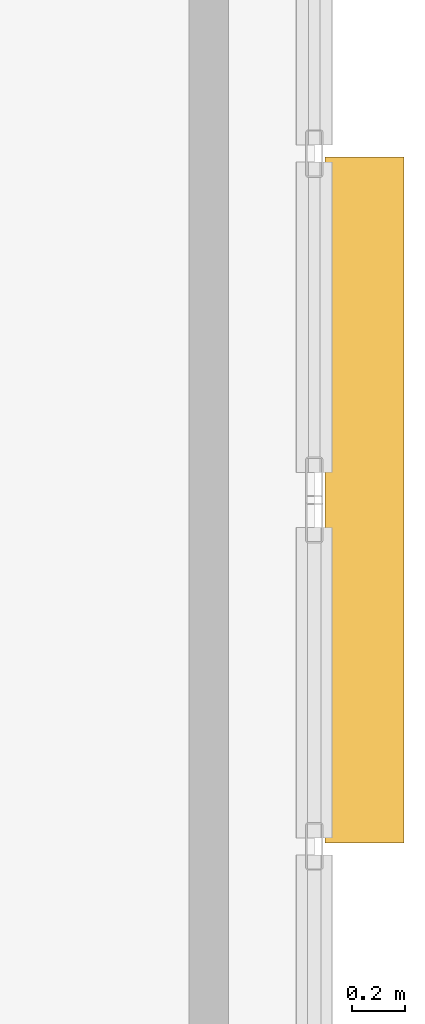
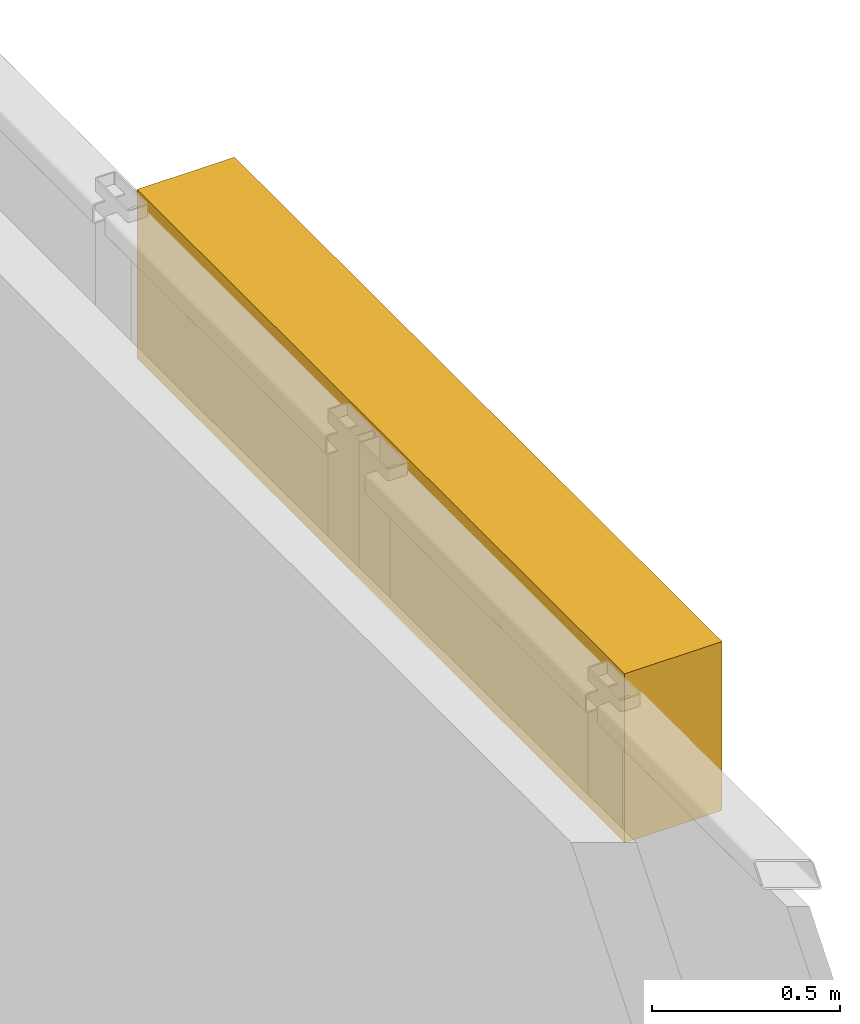
# One storey, part 25 of 25: 1 shading device.
"""IFC4 building model written with IfcOpenShell, lengths in metres."""

from ifc_helpers import new_model, si_unit, direction, frame, origin, origin_2d, place, context, subcontext, project, spatial, rectangle, extrude, material, layer, layer_set, type_object, element, save


model = new_model("IFC4")

# Units and contexts
model_context = context("Model", 3, precision=1e-05, world=origin(), true_north=direction((0.0, 1.0)))
body_context = subcontext(model_context, "Body", "Model", "MODEL_VIEW")
ifc_project = project(units=[si_unit("LENGTHUNIT", "METRE"), si_unit("AREAUNIT", "SQUARE_METRE"), si_unit("VOLUMEUNIT", "CUBIC_METRE"), si_unit("PLANEANGLEUNIT", "RADIAN"), si_unit("MASSUNIT", "GRAM", prefix="KILO")], contexts=[model_context])

# Site, building, storey
site_placement = place(None, origin())
site = spatial("IfcSite", under=ifc_project, at=site_placement, CompositionType="ELEMENT")
building_placement = place(site_placement, origin())
building = spatial("IfcBuilding", under=site, at=building_placement, Name="Kisaragi Civic Commons", CompositionType="ELEMENT")
storey_placement = place(building_placement, frame((0.0, 0.0, 13.5)))
storey = spatial("IfcBuildingStorey", under=building, at=storey_placement, Name="L03", CompositionType="ELEMENT", Elevation=13.5)

# Shading device
ifc_material = material(Name="Extruded Tokoname terracotta sun-louvre blade", Category="masonry")
ifc_layer = layer(ifc_material, 0.550048828125, Name="Extruded Tokoname terracotta sun-louvre blade", Category="masonry")
ifc_layer_set = layer_set([ifc_layer], Name="Extruded Tokoname terracotta sun-louvre blade")
shading_device_type = type_object("IfcShadingDeviceType", Name="SHD-02", PredefinedType="JALOUSIE", material=ifc_layer_set)
shading_device_placement = place(storey_placement, frame((146.590087890625, 100.199951171875, 2.35498046875), z_axis=(0.0, 0.0, 1.0), x_axis=(0.0, -1.0, 0.0)))
element("IfcShadingDevice", 1, at=shading_device_placement, inside=storey, type_object=shading_device_type, Name="V4 L03 terracotta sun-louvre 15", PredefinedType="JALOUSIE", context=body_context, shape_type="SweptSolid", body=[
    extrude(rectangle(XDim=2.60009765625, YDim=0.300048828125, at=origin_2d()), origin(), (0.0, 0.0, 1.0), 0.550048828125),
])

save(model, "model.ifc")
